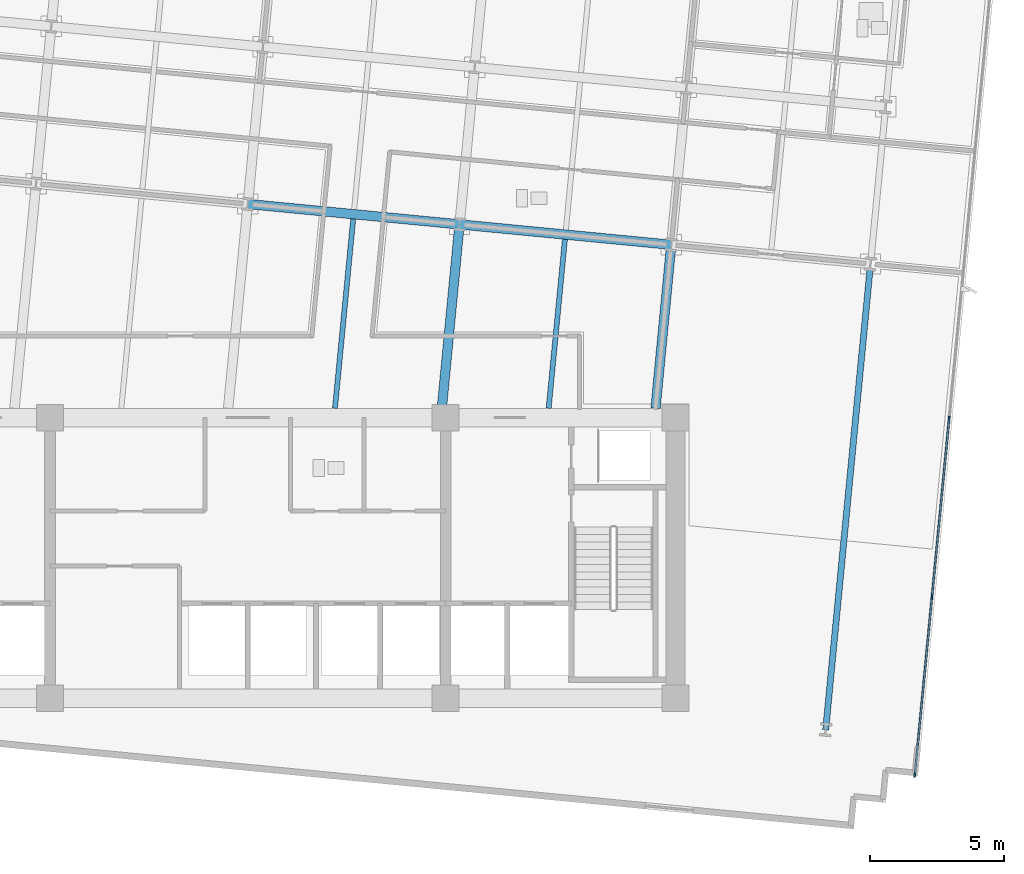
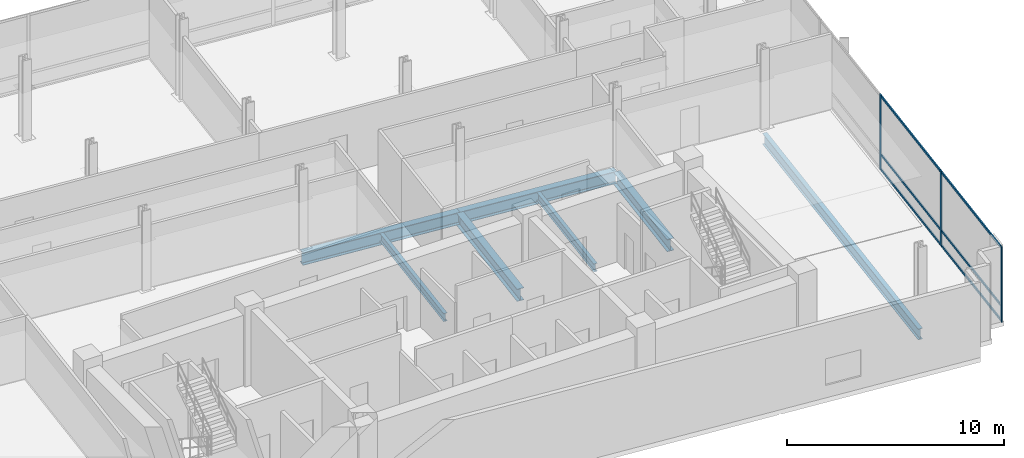
# One storey, part 6 of 17: 9 members, 7 beams, 1 element without a shape of its own.
"""IFC4 building model written with IfcOpenShell, lengths in metres."""

from ifc_helpers import new_model, si_unit, direction, frame, origin, origin_2d, place, context, subcontext, project, spatial, rectangle, i_section, extrude, material, material_profile, profile_set, type_object, element, aggregate, save


model = new_model("IFC4")

# Units and contexts
model_context = context("Model", 3, precision=1e-05, world=origin(), true_north=direction((0.0, 1.0)))
body_context = subcontext(model_context, "Body", "Model", "MODEL_VIEW")
ifc_project = project(units=[si_unit("LENGTHUNIT", "METRE"), si_unit("AREAUNIT", "SQUARE_METRE"), si_unit("VOLUMEUNIT", "CUBIC_METRE"), si_unit("PLANEANGLEUNIT", "RADIAN"), si_unit("MASSUNIT", "GRAM", prefix="KILO")], contexts=[model_context])

# Site, building, storey
site_placement = place(None, origin())
site = spatial("IfcSite", under=ifc_project, at=site_placement, CompositionType="ELEMENT")
building_placement = place(site_placement, origin())
building = spatial("IfcBuilding", under=site, at=building_placement, Name="Solmavex Isthmus Hotel", CompositionType="ELEMENT")
storey_placement = place(building_placement, frame((0.0, 0.0, 177.300048828125)))
storey = spatial("IfcBuildingStorey", under=building, at=storey_placement, Name="L48", CompositionType="ELEMENT", Elevation=177.300048828125)

# Beams
ifc_material_1 = material(Name="Steel ASTM A992 Grade 50", Category="steel")
ifc_material_profile_1 = material_profile(ifc_material_1, i_section(OverallWidth=0.354736328125, OverallDepth=0.695556640625, WebThickness=0.015380859375, FlangeThickness=0.02490234375, FilletRadius=0.017822265625, at=origin_2d()), Name="W27X146")
ifc_profile_set_1 = profile_set([ifc_material_profile_1], Name="Steel ASTM A992 Grade 50")
beam_type_1 = type_object("IfcBeamType", Name="BM-BG-W27X146", PredefinedType="BEAM", material=ifc_profile_set_1)
for number, where, z_axis, x_axis, name in (
    (1, (0.001220703125, 5.490234375, -0.60791015625), (0.995397440011, -0.095832856685, 0.0), (0.095832856685, 0.995397440011, 0.0), "Floor Girder L48-UG06"),
    (2, (7.920654296875, 4.727783203125, -0.60791015625), (0.995397440011, -0.095832856685, 0.0), (0.095832856685, 0.995397440011, 0.0), "Floor Girder L48-UG07"),
):
    element("IfcBeam", number, at=place(storey_placement, frame(where, z_axis=z_axis, x_axis=x_axis)), inside=storey, type_object=beam_type_1, Name=name, PredefinedType="BEAM", context=body_context, shape_type="SweptSolid", body=[
        extrude(i_section(OverallWidth=0.354736328125, OverallDepth=0.695556640625, WebThickness=0.015380859375, FlangeThickness=0.02490234375, FilletRadius=0.017822265625, at=origin_2d()), origin(), (0.0, 0.0, 1.0), 7.9560546875),
    ])
beam_1_placement = place(storey_placement, frame((7.25830078125, -2.14990234375, -0.60791015625), z_axis=(0.095847843924, 0.995395996986, 0.0), x_axis=(-0.995395996986, 0.095847843924, 0.0)))
element("IfcBeam", 3, at=beam_1_placement, inside=storey, type_object=beam_type_1, Name="Floor Beam L48-VG33", PredefinedType="BEAM", context=body_context, shape_type="SweptSolid", body=[
    extrude(i_section(OverallWidth=0.354736328125, OverallDepth=0.695556640625, WebThickness=0.015380859375, FlangeThickness=0.02490234375, FilletRadius=0.017822265625, at=origin_2d()), origin(), (0.0, 0.0, 1.0), 6.732177734375),
])
beam_2_placement = place(storey_placement, frame((15.251220703125, -2.14990234375, -0.60791015625), z_axis=(0.095840286514, 0.995396724669, 0.0), x_axis=(-0.995396724669, 0.095840286514, 0.0)))
element("IfcBeam", 4, at=beam_2_placement, inside=storey, type_object=beam_type_1, Name="Floor Beam L48-VG36", PredefinedType="BEAM", context=body_context, shape_type="SweptSolid", body=[
    extrude(i_section(OverallWidth=0.354736328125, OverallDepth=0.695556640625, WebThickness=0.015380859375, FlangeThickness=0.02490234375, FilletRadius=0.017822265625, at=origin_2d()), origin(), (0.0, 0.0, 1.0), 5.9658203125),
])
ifc_material_profile_2 = material_profile(ifc_material_1, i_section(OverallWidth=0.1904296875, OverallDepth=0.456787109375, WebThickness=0.009033203125, FlangeThickness=0.014404296875, FilletRadius=0.0126953125, at=origin_2d()), Name="W18X50")
ifc_profile_set_2 = profile_set([ifc_material_profile_2], Name="Steel ASTM A992 Grade 50")
beam_type_2 = type_object("IfcBeamType", Name="BM-BJ-W18X50", PredefinedType="JOIST", material=ifc_profile_set_2)
beam_3_placement = place(storey_placement, frame((3.261962890625, -2.14990234375, -0.488525390625), z_axis=(0.095837287001, 0.995397013468, 0.0), x_axis=(-0.995397013468, 0.095837287001, 0.0)))
element("IfcBeam", 5, at=beam_3_placement, inside=storey, type_object=beam_type_2, Name="Secondary Floor Joist L48-J10", PredefinedType="JOIST", context=body_context, shape_type="SweptSolid", body=[
    extrude(i_section(OverallWidth=0.1904296875, OverallDepth=0.456787109375, WebThickness=0.009033203125, FlangeThickness=0.014404296875, FilletRadius=0.0126953125, at=origin_2d()), origin(), (0.0, 0.0, 1.0), 7.114990234375),
])
beam_4_placement = place(storey_placement, frame((11.2548828125, -2.14990234375, -0.488525390625), z_axis=(0.095825243261, 0.995398172971, 0.0), x_axis=(-0.995398172971, 0.095825243261, 0.0)))
element("IfcBeam", 6, at=beam_4_placement, inside=storey, type_object=beam_type_2, Name="Secondary Floor Joist L48-J13", PredefinedType="JOIST", context=body_context, shape_type="SweptSolid", body=[
    extrude(i_section(OverallWidth=0.1904296875, OverallDepth=0.456787109375, WebThickness=0.009033203125, FlangeThickness=0.014404296875, FilletRadius=0.0126953125, at=origin_2d()), origin(), (0.0, 0.0, 1.0), 6.34912109375),
])
ifc_material_profile_3 = material_profile(ifc_material_1, i_section(OverallWidth=0.230224609375, OverallDepth=0.617431640625, WebThickness=0.01318359375, FlangeThickness=0.022216796875, FilletRadius=0.01513671875, at=origin_2d()), Name="W24X94")
ifc_profile_set_3 = profile_set([ifc_material_profile_3], Name="Steel ASTM A992 Grade 50")
beam_type_3 = type_object("IfcBeamType", Name="BM-SP-W24X94", PredefinedType="SPANDREL", material=ifc_profile_set_3)
beam_5_placement = place(storey_placement, frame((21.6162109375, -14.171875, -0.56884765625), z_axis=(0.095851245948, 0.995395669395, 0.0), x_axis=(-0.995395669395, 0.095851245948, 0.0)))
element("IfcBeam", 7, at=beam_5_placement, inside=storey, type_object=beam_type_3, Name="Floor Beam L48-VG39", PredefinedType="SPANDREL", context=body_context, shape_type="SweptSolid", body=[
    extrude(i_section(OverallWidth=0.230224609375, OverallDepth=0.617431640625, WebThickness=0.01318359375, FlangeThickness=0.022216796875, FilletRadius=0.01513671875, at=origin_2d()), origin(), (0.0, 0.0, 1.0), 17.32275390625),
])

# Curtain wall, members
ifc_material_2 = material(Name="Aluminium alloy 6063-T6", Category="aluminium")
curtain_wall_type = type_object("IfcCurtainWallType", Name="CW-SYS-05", PredefinedType="NOTDEFINED", material=ifc_material_2)
curtain_wall_placement = place(storey_placement, origin())
curtain_wall = element("IfcCurtainWall", 8, at=curtain_wall_placement, inside=storey, type_object=curtain_wall_type, Name="Stick Curtain Wall CWL-L48-E1", PredefinedType="NOTDEFINED")
ifc_material_profile_4 = material_profile(ifc_material_2, rectangle(XDim=0.06494140625, YDim=0.159912109375, at=origin_2d()), Name="CWM-65X160")
ifc_profile_set_4 = profile_set([ifc_material_profile_4], Name="Aluminium alloy 6063-T6")
member_type_1 = type_object("IfcMemberType", Name="CW-SYS-05-MUL", PredefinedType="MULLION", material=ifc_profile_set_4)
member_1_placement = place(storey_placement, frame((24.94921875, -15.86669921875, 0.0), z_axis=(0.0, 0.0, 1.0), x_axis=(-0.995396190038, 0.09584583902, 0.0)))
member_1 = element("IfcMember", 9, at=member_1_placement, type_object=member_type_1, Name="CW-05 mullion 1", PredefinedType="MULLION", context=body_context, shape_type="SweptSolid", body=[
    extrude(rectangle(XDim=0.06494140625, YDim=0.159912109375, at=origin_2d()), origin(), (0.0, 0.0, 1.0), 4.239990234375),
])
member_2_placement = place(storey_placement, frame((25.590087890625, -9.2099609375, 0.0), z_axis=(0.0, 0.0, 1.0), x_axis=(-0.995396190038, 0.09584583902, 0.0)))
member_2 = element("IfcMember", 10, at=member_2_placement, type_object=member_type_1, Name="CW-05 mullion 2", PredefinedType="MULLION", context=body_context, shape_type="SweptSolid", body=[
    extrude(rectangle(XDim=0.06494140625, YDim=0.159912109375, at=origin_2d()), origin(), (0.0, 0.0, 1.0), 4.239990234375),
])
member_3_placement = place(storey_placement, frame((26.234130859375, -2.520751953125, 0.0), z_axis=(0.0, 0.0, 1.0), x_axis=(-0.995396190038, 0.09584583902, 0.0)))
member_3 = element("IfcMember", 11, at=member_3_placement, type_object=member_type_1, Name="CW-05 mullion 3", PredefinedType="MULLION", context=body_context, shape_type="SweptSolid", body=[
    extrude(rectangle(XDim=0.06494140625, YDim=0.159912109375, at=origin_2d()), origin(), (0.0, 0.0, 1.0), 4.239990234375),
])
ifc_material_profile_5 = material_profile(ifc_material_2, rectangle(XDim=0.06494140625, YDim=0.125, at=origin_2d()), Name="CWT-65X125")
ifc_profile_set_5 = profile_set([ifc_material_profile_5], Name="Aluminium alloy 6063-T6")
member_type_2 = type_object("IfcMemberType", Name="CW-SYS-05-TRN", PredefinedType="USERDEFINED", material=ifc_profile_set_5)
member_4_placement = place(storey_placement, frame((24.9521484375, -15.834228515625, 0.0625), z_axis=(0.095849383604, 0.995395848727, 0.0), x_axis=(-0.995395848727, 0.095849383604, 0.0)))
member_4 = element("IfcMember", 12, at=member_4_placement, type_object=member_type_2, Name="CW-05 transom 1.1", ObjectType="TRANSOM", PredefinedType="USERDEFINED", context=body_context, shape_type="SweptSolid", body=[
    extrude(rectangle(XDim=0.06494140625, YDim=0.125, at=origin_2d()), origin(), (0.0, 0.0, 1.0), 6.62255859375),
])
member_5_placement = place(storey_placement, frame((24.9521484375, -15.834228515625, 0.89990234375), z_axis=(0.095849383604, 0.995395848727, 0.0), x_axis=(-0.995395848727, 0.095849383604, 0.0)))
member_5 = element("IfcMember", 13, at=member_5_placement, type_object=member_type_2, Name="CW-05 transom 1.2", ObjectType="TRANSOM", PredefinedType="USERDEFINED", context=body_context, shape_type="SweptSolid", body=[
    extrude(rectangle(XDim=0.06494140625, YDim=0.125, at=origin_2d()), origin(), (0.0, 0.0, 1.0), 6.62255859375),
])
member_6_placement = place(storey_placement, frame((24.9521484375, -15.834228515625, 4.177490234375), z_axis=(0.095849383604, 0.995395848727, 0.0), x_axis=(-0.995395848727, 0.095849383604, 0.0)))
member_6 = element("IfcMember", 14, at=member_6_placement, type_object=member_type_2, Name="CW-05 transom 1.3", ObjectType="TRANSOM", PredefinedType="USERDEFINED", context=body_context, shape_type="SweptSolid", body=[
    extrude(rectangle(XDim=0.06494140625, YDim=0.125, at=origin_2d()), origin(), (0.0, 0.0, 1.0), 6.62255859375),
])
member_7_placement = place(storey_placement, frame((25.59326171875, -9.177490234375, 0.0625), z_axis=(0.095859901454, 0.995394835878, 0.0), x_axis=(-0.995394835878, 0.095859901454, 0.0)))
member_7 = element("IfcMember", 15, at=member_7_placement, type_object=member_type_2, Name="CW-05 transom 2.1", ObjectType="TRANSOM", PredefinedType="USERDEFINED", context=body_context, shape_type="SweptSolid", body=[
    extrude(rectangle(XDim=0.06494140625, YDim=0.125, at=origin_2d()), origin(), (0.0, 0.0, 1.0), 6.655029296875),
])
member_8_placement = place(storey_placement, frame((25.59326171875, -9.177490234375, 0.89990234375), z_axis=(0.095859901454, 0.995394835878, 0.0), x_axis=(-0.995394835878, 0.095859901454, 0.0)))
member_8 = element("IfcMember", 16, at=member_8_placement, type_object=member_type_2, Name="CW-05 transom 2.2", ObjectType="TRANSOM", PredefinedType="USERDEFINED", context=body_context, shape_type="SweptSolid", body=[
    extrude(rectangle(XDim=0.06494140625, YDim=0.125, at=origin_2d()), origin(), (0.0, 0.0, 1.0), 6.655029296875),
])
member_9_placement = place(storey_placement, frame((25.59326171875, -9.177490234375, 4.177490234375), z_axis=(0.095859901454, 0.995394835878, 0.0), x_axis=(-0.995394835878, 0.095859901454, 0.0)))
member_9 = element("IfcMember", 17, at=member_9_placement, type_object=member_type_2, Name="CW-05 transom 2.3", ObjectType="TRANSOM", PredefinedType="USERDEFINED", context=body_context, shape_type="SweptSolid", body=[
    extrude(rectangle(XDim=0.06494140625, YDim=0.125, at=origin_2d()), origin(), (0.0, 0.0, 1.0), 6.655029296875),
])
aggregate(curtain_wall, [member_1, member_2, member_3, member_4, member_5, member_6, member_7, member_8, member_9])

save(model, "model.ifc")
